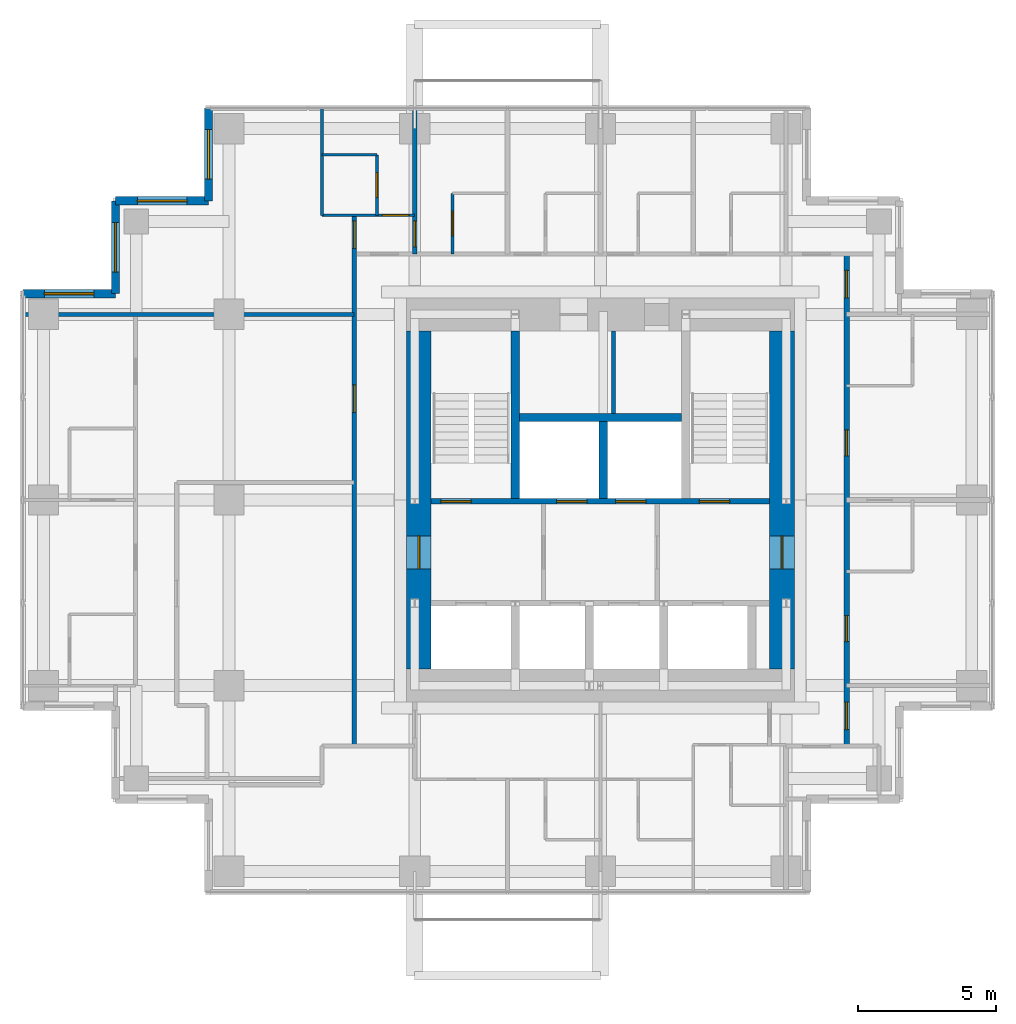
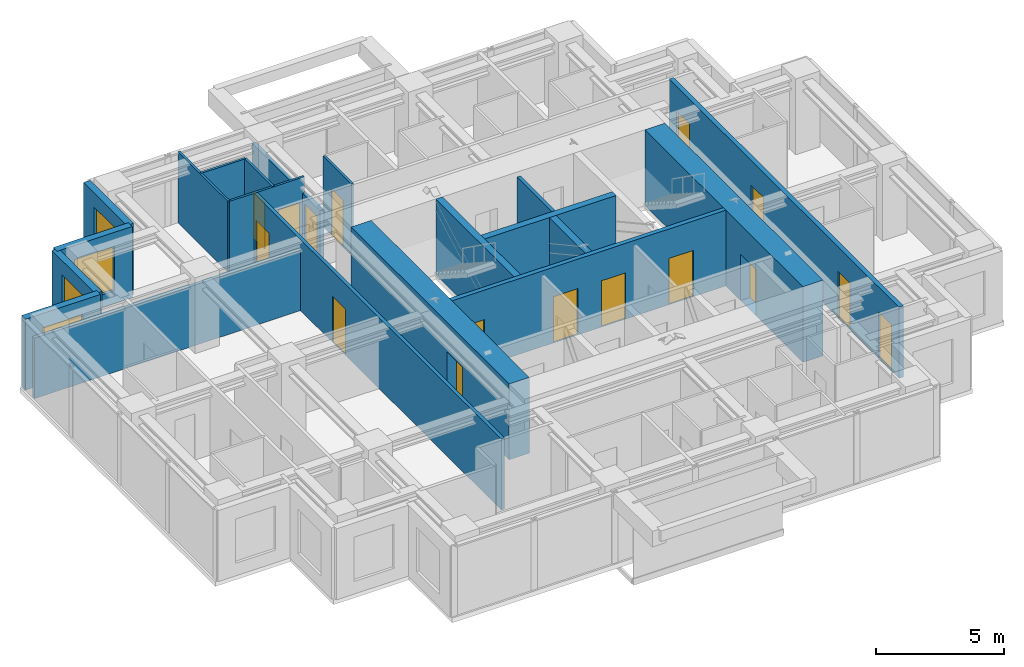
# One storey, part 5 of 8: 20 walls, 16 doors, 4 windows, 20 openings.
"""IFC4 building model written with IfcOpenShell, lengths in metres."""

import ifcopenshell
import ifcopenshell.guid

model = None  # the IFC model being written
_history = None  # IfcOwnerHistory: only IFC2X3 demands one
_inside = {}  # id of a spatial element -> (the spatial element, [elements in it])
_under = {}  # id of a project, library or spatial element -> (it, [spatial elements below it])
_declared = {}  # id of a project -> (the project, [libraries it declares])
_typed = {}  # id of a type object -> (the type object, [elements of that type])
_made_of = {}  # id of a material, layer set ... -> (it, [elements and type objects made of it])


def new_model(schema):
    """Start an empty IFC model of exactly this schema.

    Asked for "IFC4X3", IfcOpenShell would pick the latest addendum, in which some entities
    have other attributes; the version numbers below select the first issue.
    IFC2X3 requires an IfcOwnerHistory on every rooted entity: one is made here for all.
    """
    global model, _history
    if schema == "IFC4X3":
        model = ifcopenshell.file(schema_version=(4, 3, 0, 0))
    else:
        model = ifcopenshell.file(schema=schema)
    _inside.clear()
    _under.clear()
    _declared.clear()
    _typed.clear()
    _made_of.clear()
    _history = None
    if model.schema == "IFC2X3":
        org = make("IfcOrganization", Name="unknown")
        user = make(
            "IfcPersonAndOrganization",
            ThePerson=make("IfcPerson", FamilyName="unknown"),
            TheOrganization=org,
        )
        app = make(
            "IfcApplication",
            ApplicationDeveloper=org,
            Version="unknown",
            ApplicationFullName="unknown",
            ApplicationIdentifier="unknown",
        )
        _history = make(
            "IfcOwnerHistory",
            OwningUser=user,
            OwningApplication=app,
            ChangeAction="ADDED",
            CreationDate=0,
        )
    return model


def make(cls, **values):
    """One entity of the class cls with the attributes given. An attribute that is None is left unset."""
    return model.create_entity(
        cls, **{name: value for name, value in values.items() if value is not None}
    )


def rooted(cls, **values):
    """An entity with a GlobalId (a new one), such as an element, a storey or a relation."""
    return make(cls, GlobalId=ifcopenshell.guid.new(), OwnerHistory=_history, **values)


def si_unit(unit_type, name, prefix=None):
    """IfcSIUnit, for example si_unit("LENGTHUNIT", "METRE", prefix="MILLI")."""
    return make("IfcSIUnit", UnitType=unit_type, Prefix=prefix, Name=name)


def assignment(units):
    """IfcUnitAssignment: the units of a project."""
    return None if units is None else make("IfcUnitAssignment", Units=units)


def point(xyz):
    """IfcCartesianPoint."""
    return None if xyz is None else make("IfcCartesianPoint", Coordinates=xyz)


def direction(xyz):
    """IfcDirection."""
    return None if xyz is None else make("IfcDirection", DirectionRatios=xyz)


def frame(location, z_axis=None, x_axis=None):
    """IfcAxis2Placement3D, a coordinate frame: its origin and axes. An axis left out is left unset."""
    return make(
        "IfcAxis2Placement3D",
        Location=point(location),
        Axis=direction(z_axis),
        RefDirection=direction(x_axis),
    )


def frame_2d(location, x_axis=None):
    """IfcAxis2Placement2D, a coordinate frame in the plane: its origin and x axis."""
    return make(
        "IfcAxis2Placement2D", Location=point(location), RefDirection=direction(x_axis)
    )


def origin():
    """The frame at (0, 0, 0) with its axes left unset."""
    return frame((0.0, 0.0, 0.0))


def place(relative_to, where):
    """IfcLocalPlacement: puts the frame where relative to a parent placement (None: the world)."""
    return make(
        "IfcLocalPlacement", PlacementRelTo=relative_to, RelativePlacement=where
    )


def context(
    kind, dimensions, precision=None, world=None, true_north=None, identifier=None
):
    """IfcGeometricRepresentationContext, for example the 3D "Model" context."""
    return make(
        "IfcGeometricRepresentationContext",
        ContextIdentifier=identifier,
        ContextType=kind,
        CoordinateSpaceDimension=dimensions,
        Precision=precision,
        WorldCoordinateSystem=world,
        TrueNorth=true_north,
    )


def subcontext(parent, identifier, kind, view, scale=None):
    """IfcGeometricRepresentationSubContext, for example "Body" below "Model"."""
    return make(
        "IfcGeometricRepresentationSubContext",
        ContextIdentifier=identifier,
        ContextType=kind,
        ParentContext=parent,
        TargetScale=scale,
        TargetView=view,
    )


def project(units=None, contexts=None):
    """IfcProject with its units and contexts."""
    return rooted(
        "IfcProject",
        Name="project",
        RepresentationContexts=contexts,
        UnitsInContext=assignment(units),
    )


def spatial(cls, under=None, at=None, **own):
    """A site, building, storey or space (cls), placed at a placement, below another one or the project."""
    s = rooted(cls, ObjectPlacement=at, **own)
    if under is not None:
        _under.setdefault(under.id(), (under, []))[1].append(s)
    return s


def profile(cls, at=None, kind="AREA", **sizes):
    """A parametric profile (cls). Its sizes go by their IFC names, for example OverallWidth=200.0."""
    return make(cls, ProfileType=kind, Position=at, **sizes)


def rectangle(**sizes):
    """IfcRectangleProfileDef."""
    return profile("IfcRectangleProfileDef", **sizes)


def extrude(swept, where, along, depth):
    """IfcExtrudedAreaSolid: the profile swept, set in the frame where, extruded along a direction by depth."""
    return make(
        "IfcExtrudedAreaSolid",
        SweptArea=swept,
        Position=where,
        ExtrudedDirection=direction(along),
        Depth=depth,
    )


def shape(context_of_items, identifier, shape_type, items):
    """IfcShapeRepresentation: the items that make up one representation, for example the "Body"."""
    return make(
        "IfcShapeRepresentation",
        ContextOfItems=context_of_items,
        RepresentationIdentifier=identifier,
        RepresentationType=shape_type,
        Items=items,
    )


def material(Name=None, Category=None):
    """IfcMaterial."""
    return make("IfcMaterial", Name=Name, Category=Category)


def layer(
    of_material, thickness, ventilated=None, Name=None, Category=None, Priority=None
):
    """IfcMaterialLayer: one layer of a wall or slab, of a material (None: an air gap)."""
    return make(
        "IfcMaterialLayer",
        Material=of_material,
        LayerThickness=thickness,
        IsVentilated=ventilated,
        Name=Name,
        Category=Category,
        Priority=Priority,
    )


def layer_set(layers, Name=None):
    """IfcMaterialLayerSet."""
    return make("IfcMaterialLayerSet", MaterialLayers=layers, LayerSetName=Name)


def made_of(thing, what):
    """Note that an element or type object is made of a material, layer set ...; save() writes the relation."""
    if what is not None:
        _made_of.setdefault(what.id(), (what, []))[1].append(thing)
    return thing


def type_object(cls, material=None, **own):
    """A type object (cls), such as IfcWallType, which elements share."""
    return made_of(rooted(cls, **own), material)


def element(
    cls,
    number,
    at=None,
    inside=None,
    cuts=None,
    type_object=None,
    material=None,
    context=None,
    identifier="Body",
    shape_type=None,
    held_by="IfcProductDefinitionShape",
    body=None,
    shapes=None,
    **own,
):
    """One element of the class cls, such as IfcWall. Its Tag is "e" and its number.

    at: its placement. inside: the storey or other place that contains it. cuts: it is an
    opening in that element (IfcRelVoidsElement). A single representation is given by context,
    identifier, shape_type and body (its items); several are given by shapes. held_by: the class
    of the entity that holds the representations. save() writes the other relations.
    """
    e = rooted(cls, Tag="e%d" % number, ObjectPlacement=at, **own)
    if body is not None:
        shapes = [shape(context, identifier, shape_type, body)]
    if shapes is not None:
        e.Representation = make(held_by, Representations=shapes)
    if inside is not None:
        _inside.setdefault(inside.id(), (inside, []))[1].append(e)
    if cuts is not None:
        rooted(
            "IfcRelVoidsElement", RelatingBuildingElement=cuts, RelatedOpeningElement=e
        )
    if type_object is not None:
        _typed.setdefault(type_object.id(), (type_object, []))[1].append(e)
    return made_of(e, material)


def fill(opening, filler):
    """IfcRelFillsElement: the door or window that sits in an opening."""
    return rooted(
        "IfcRelFillsElement",
        RelatingOpeningElement=opening,
        RelatedBuildingElement=filler,
    )


def aggregate(whole, parts):
    """IfcRelAggregates: a whole, such as a stair, and the parts it consists of."""
    return rooted("IfcRelAggregates", RelatingObject=whole, RelatedObjects=parts)


def save(model, path):
    """Write the relations noted so far, then the file.

    IfcRelAggregates (storeys below a building ...), IfcRelContainedInSpatialStructure (elements
    in a storey), IfcRelDefinesByType, IfcRelAssociatesMaterial and IfcRelDeclares: one each for
    every whole, place, type object, material and project.
    """
    for whole, parts in _under.values():
        aggregate(whole, parts)
    for where, things in _inside.values():
        rooted(
            "IfcRelContainedInSpatialStructure",
            RelatedElements=things,
            RelatingStructure=where,
        )
    for kind, things in _typed.values():
        rooted("IfcRelDefinesByType", RelatedObjects=things, RelatingType=kind)
    for what, things in _made_of.values():
        rooted("IfcRelAssociatesMaterial", RelatedObjects=things, RelatingMaterial=what)
    for by, libraries in _declared.values():
        rooted("IfcRelDeclares", RelatingContext=by, RelatedDefinitions=libraries)
    model.write(path)


model = new_model("IFC4")

# Units and contexts
model_context = context("Model", 3, precision=1e-05, world=origin(), true_north=direction((0.0, 1.0)))
body_context = subcontext(model_context, "Body", "Model", "MODEL_VIEW")
ifc_project = project(units=[si_unit("LENGTHUNIT", "METRE"), si_unit("AREAUNIT", "SQUARE_METRE"), si_unit("VOLUMEUNIT", "CUBIC_METRE"), si_unit("PLANEANGLEUNIT", "RADIAN"), si_unit("MASSUNIT", "GRAM", prefix="KILO")], contexts=[model_context])

# Site, building, storey
site_placement = place(None, origin())
site = spatial("IfcSite", under=ifc_project, at=site_placement, CompositionType="ELEMENT")
building_placement = place(site_placement, origin())
building = spatial("IfcBuilding", under=site, at=building_placement, Name="Nyansa Garden Tower", CompositionType="ELEMENT")
storey_placement = place(building_placement, frame((0.0, 0.0, 222.300048828125)))
storey = spatial("IfcBuildingStorey", under=building, at=storey_placement, Name="L60", CompositionType="ELEMENT", Elevation=222.300048828125)

# Wall, opening, door
ifc_material_1 = material(Name="Dense blockwork, plastered both sides, 55 dB", Category="masonry")
ifc_layer_1 = layer(ifc_material_1, 0.175048828125)
ifc_layer_set_1 = layer_set([ifc_layer_1], Name="Acoustic party wall PW175")
wall_type_1 = type_object("IfcWallType", Name="Acoustic party wall PW175", PredefinedType="PARTITIONING", material=ifc_layer_set_1)
wall_1_placement = place(storey_placement, frame((13.5, 29.199951171875, 0.0), z_axis=(0.0, 0.0, 1.0), x_axis=(0.0, 1.0, 0.0)))
wall_1 = element("IfcWall", 1, at=wall_1_placement, inside=storey, type_object=wall_type_1, Name="Party wall", PredefinedType="PARTITIONING", context=body_context, shape_type="SweptSolid", body=[
    extrude(rectangle(XDim=5.283935546875, YDim=0.175048828125, at=frame_2d((2.64208984375, 0.0))), origin(), (0.0, 0.0, 1.0), 2.60986328125),
])
opening_1_placement = place(wall_1_placement, frame((0.25, 0.0, 0.0)))
opening_1 = element("IfcOpeningElement", 2, at=opening_1_placement, cuts=wall_1, Name="Opening D14", PredefinedType="OPENING", context=body_context, shape_type="SweptSolid", body=[
    extrude(rectangle(XDim=0.949951171875, YDim=2.199951171875, at=frame_2d((0.47509765625, 1.10009765625))), frame((0.0, 0.097412109375, 0.0), z_axis=(0.0, -1.0, 0.0), x_axis=(1.0, 0.0, 0.0)), (0.0, 0.0, 1.0), 0.195068359375),
])
ifc_material_2 = material(Name="Timber flush door, 60 minute fire resisting, self-closing", Category="wood")
door_type_1 = type_object("IfcDoorType", Name="Studio entrance door D14 950x2200", OperationType="SINGLE_SWING_LEFT", PredefinedType="DOOR", material=ifc_material_2)
door_1_placement = place(opening_1_placement, origin())
door_1 = element("IfcDoor", 3, at=door_1_placement, inside=storey, type_object=door_type_1, Name="Door L60-035", OperationType="SINGLE_SWING_LEFT", OverallHeight=2.199951171875, OverallWidth=0.949951171875, PredefinedType="DOOR", context=body_context, shape_type="SweptSolid", body=[
    extrude(rectangle(XDim=0.949951171875, YDim=2.199951171875, at=frame_2d((0.47509765625, 1.10009765625))), frame((0.0, 0.02490234375, 0.0), z_axis=(0.0, -1.0, 0.0), x_axis=(1.0, 0.0, 0.0)), (0.0, 0.0, 1.0), 0.050048828125),
])
fill(opening_1, door_1)

# Wall, openings, doors
ifc_material_3 = material(Name="Concrete C70/85", Category="concrete")
ifc_layer_2 = layer(ifc_material_3, 0.199951171875)
ifc_layer_set_2 = layer_set([ifc_layer_2], Name="Core inner wall CI200")
wall_type_2 = type_object("IfcWallType", Name="Core inner wall CI200", PredefinedType="SHEAR", material=ifc_layer_set_2)
wall_2_placement = place(storey_placement, frame((14.10009765625, 20.199951171875, 0.0), z_axis=(0.0, 0.0, 1.0), x_axis=(1.0, 0.0, 0.0)))
wall_2 = element("IfcWall", 4, at=wall_2_placement, inside=storey, type_object=wall_type_2, Name="Core inner wall L60", PredefinedType="SHEAR", context=body_context, shape_type="SweptSolid", body=[
    extrude(rectangle(XDim=12.2998046875, YDim=0.199951171875, at=frame_2d((6.14990234375, 0.0))), origin(), (0.0, 0.0, 1.0), 3.599853515625),
])
opening_2_placement = place(wall_2_placement, frame((4.56005859375, 0.0, 0.0)))
opening_2 = element("IfcOpeningElement", 5, at=opening_2_placement, cuts=wall_2, Name="Opening LD-B", PredefinedType="OPENING", context=body_context, shape_type="SweptSolid", body=[
    extrude(rectangle(XDim=1.10009765625, YDim=2.199951171875, at=frame_2d((0.550048828125, 1.10009765625))), frame((0.0, 0.10986328125, 0.0), z_axis=(0.0, -1.0, 0.0), x_axis=(1.0, 0.0, 0.0)), (0.0, 0.0, 1.0), 0.219970703125),
])
opening_3_placement = place(wall_2_placement, frame((6.699951171875, 0.0, 0.0)))
opening_3 = element("IfcOpeningElement", 6, at=opening_3_placement, cuts=wall_2, Name="Opening LD-B", PredefinedType="OPENING", context=body_context, shape_type="SweptSolid", body=[
    extrude(rectangle(XDim=1.10009765625, YDim=2.199951171875, at=frame_2d((0.550048828125, 1.10009765625))), frame((0.0, 0.10986328125, 0.0), z_axis=(0.0, -1.0, 0.0), x_axis=(1.0, 0.0, 0.0)), (0.0, 0.0, 1.0), 0.219970703125),
])
opening_4_placement = place(wall_2_placement, frame((0.35009765625, 0.0, 0.0)))
opening_4 = element("IfcOpeningElement", 7, at=opening_4_placement, cuts=wall_2, Name="Opening D05", PredefinedType="OPENING", context=body_context, shape_type="SweptSolid", body=[
    extrude(rectangle(XDim=1.10009765625, YDim=2.199951171875, at=frame_2d((0.550048828125, 1.10009765625))), frame((0.0, 0.10986328125, 0.0), z_axis=(0.0, -1.0, 0.0), x_axis=(1.0, 0.0, 0.0)), (0.0, 0.0, 1.0), 0.219970703125),
])
opening_5_placement = place(wall_2_placement, frame((9.75, 0.0, 0.0)))
opening_5 = element("IfcOpeningElement", 8, at=opening_5_placement, cuts=wall_2, Name="Opening D05", PredefinedType="OPENING", context=body_context, shape_type="SweptSolid", body=[
    extrude(rectangle(XDim=1.10009765625, YDim=2.199951171875, at=frame_2d((0.550048828125, 1.10009765625))), frame((0.0, 0.10986328125, 0.0), z_axis=(0.0, -1.0, 0.0), x_axis=(1.0, 0.0, 0.0)), (0.0, 0.0, 1.0), 0.219970703125),
])
ifc_material_4 = material(Name="Stainless steel centre-opening landing door of the high-rise lift, E 120", Category="steel")
door_type_2 = type_object("IfcDoorType", Name="Lift landing door LD-B 1100x2200", OperationType="DOUBLE_DOOR_SLIDING", PredefinedType="DOOR", material=ifc_material_4)
door_2_placement = place(opening_2_placement, origin())
door_2 = element("IfcDoor", 9, at=door_2_placement, inside=storey, type_object=door_type_2, Name="Landing door B3", OperationType="DOUBLE_DOOR_SLIDING", OverallHeight=2.199951171875, OverallWidth=1.10009765625, PredefinedType="DOOR", context=body_context, shape_type="SweptSolid", body=[
    extrude(rectangle(XDim=1.10009765625, YDim=2.199951171875, at=frame_2d((0.550048828125, 1.10009765625))), frame((0.0, 0.02490234375, 0.0), z_axis=(0.0, -1.0, 0.0), x_axis=(1.0, 0.0, 0.0)), (0.0, 0.0, 1.0), 0.050048828125),
])
fill(opening_2, door_2)
door_3_placement = place(opening_3_placement, origin())
door_3 = element("IfcDoor", 10, at=door_3_placement, inside=storey, type_object=door_type_2, Name="Landing door B4", OperationType="DOUBLE_DOOR_SLIDING", OverallHeight=2.199951171875, OverallWidth=1.10009765625, PredefinedType="DOOR", context=body_context, shape_type="SweptSolid", body=[
    extrude(rectangle(XDim=1.10009765625, YDim=2.199951171875, at=frame_2d((0.550048828125, 1.10009765625))), frame((0.0, 0.02490234375, 0.0), z_axis=(0.0, -1.0, 0.0), x_axis=(1.0, 0.0, 0.0)), (0.0, 0.0, 1.0), 0.050048828125),
])
fill(opening_3, door_3)
ifc_material_5 = material(Name="Steel door, 120 minute fire resisting", Category="steel")
door_type_3 = type_object("IfcDoorType", Name="Stair door D05 1100x2200", OperationType="SINGLE_SWING_LEFT", PredefinedType="DOOR", material=ifc_material_5)
door_4_placement = place(opening_4_placement, origin())
door_4 = element("IfcDoor", 11, at=door_4_placement, inside=storey, type_object=door_type_3, Name="Stair S1 door", OperationType="SINGLE_SWING_LEFT", OverallHeight=2.199951171875, OverallWidth=1.10009765625, PredefinedType="DOOR", context=body_context, shape_type="SweptSolid", body=[
    extrude(rectangle(XDim=1.10009765625, YDim=2.199951171875, at=frame_2d((0.550048828125, 1.10009765625))), frame((0.0, 0.02490234375, 0.0), z_axis=(0.0, -1.0, 0.0), x_axis=(1.0, 0.0, 0.0)), (0.0, 0.0, 1.0), 0.050048828125),
])
fill(opening_4, door_4)
door_5_placement = place(opening_5_placement, origin())
door_5 = element("IfcDoor", 12, at=door_5_placement, inside=storey, type_object=door_type_3, Name="Stair S2 door", OperationType="SINGLE_SWING_LEFT", OverallHeight=2.199951171875, OverallWidth=1.10009765625, PredefinedType="DOOR", context=body_context, shape_type="SweptSolid", body=[
    extrude(rectangle(XDim=1.10009765625, YDim=2.199951171875, at=frame_2d((0.550048828125, 1.10009765625))), frame((0.0, 0.02490234375, 0.0), z_axis=(0.0, -1.0, 0.0), x_axis=(1.0, 0.0, 0.0)), (0.0, 0.0, 1.0), 0.050048828125),
])
fill(opening_5, door_5)

# Walls
ifc_material_6 = material(Name="Concrete C70/85", Category="concrete")
ifc_layer_3 = layer(ifc_material_6, 0.300048828125)
ifc_layer_set_3 = layer_set([ifc_layer_3], Name="Core inner wall CI300")
wall_type_3 = type_object("IfcWallType", Name="Core inner wall CI300", PredefinedType="SHEAR", material=ifc_layer_set_3)
wall_3_placement = place(storey_placement, frame((17.14990234375, 20.300048828125, 0.0), z_axis=(0.0, 0.0, 1.0), x_axis=(0.0, 1.0, 0.0)))
element("IfcWall", 13, at=wall_3_placement, inside=storey, type_object=wall_type_3, Name="Core inner wall L60", PredefinedType="SHEAR", context=body_context, shape_type="SweptSolid", body=[
    extrude(rectangle(XDim=6.099853515625, YDim=0.300048828125, at=frame_2d((3.0498046875, 0.0))), origin(), (0.0, 0.0, 1.0), 3.599853515625),
])
wall_4_placement = place(storey_placement, frame((20.35009765625, 20.300048828125, 0.0), z_axis=(0.0, 0.0, 1.0), x_axis=(0.0, 1.0, 0.0)))
element("IfcWall", 14, at=wall_4_placement, inside=storey, type_object=wall_type_3, Name="Core inner wall L60", PredefinedType="SHEAR", context=body_context, shape_type="SweptSolid", body=[
    extrude(rectangle(XDim=2.800048828125, YDim=0.300048828125, at=frame_2d((1.39990234375, 0.0))), origin(), (0.0, 0.0, 1.0), 3.599853515625),
])
wall_5_placement = place(storey_placement, frame((17.300048828125, 23.25, 0.0), z_axis=(0.0, 0.0, 1.0), x_axis=(1.0, 0.0, 0.0)))
element("IfcWall", 15, at=wall_5_placement, inside=storey, type_object=wall_type_3, Name="Core inner wall L60", PredefinedType="SHEAR", context=body_context, shape_type="SweptSolid", body=[
    extrude(rectangle(XDim=5.89990234375, YDim=0.300048828125, at=frame_2d((2.949951171875, 0.0))), origin(), (0.0, 0.0, 1.0), 3.599853515625),
])

# Wall, opening, door
ifc_material_7 = material(Name="Concrete C80/95", Category="concrete")
ifc_layer_4 = layer(ifc_material_7, 0.89990234375)
ifc_layer_set_4 = layer_set([ifc_layer_4], Name="Core wall CW900")
wall_type_4 = type_object("IfcWallType", Name="Core wall CW900", PredefinedType="SHEAR", material=ifc_layer_set_4)
wall_6_placement = place(storey_placement, frame((26.85009765625, 14.10009765625, 0.0), z_axis=(0.0, 0.0, 1.0), x_axis=(0.0, 1.0, 0.0)))
wall_6 = element("IfcWall", 16, at=wall_6_placement, inside=storey, type_object=wall_type_4, Name="Core wall E L60", PredefinedType="SHEAR", context=body_context, shape_type="SweptSolid", body=[
    extrude(rectangle(XDim=12.2998046875, YDim=0.89990234375, at=frame_2d((6.14990234375, 0.0))), origin(), (0.0, 0.0, 1.0), 3.599853515625),
])
opening_6_placement = place(wall_6_placement, frame((3.64990234375, 0.0, 0.0)))
opening_6 = element("IfcOpeningElement", 17, at=opening_6_placement, cuts=wall_6, Name="Opening D06", PredefinedType="OPENING", context=body_context, shape_type="SweptSolid", body=[
    extrude(rectangle(XDim=1.199951171875, YDim=2.199951171875, at=frame_2d((0.60009765625, 1.10009765625))), frame((0.0, 0.4599609375, 0.0), z_axis=(0.0, -1.0, 0.0), x_axis=(1.0, 0.0, 0.0)), (0.0, 0.0, 1.0), 0.919921875),
])
ifc_material_8 = material(Name="Steel door, 120 minute fire resisting", Category="steel")
door_type_4 = type_object("IfcDoorType", Name="Lobby door D06 1200x2200", OperationType="DOUBLE_DOOR_SINGLE_SWING", PredefinedType="DOOR", material=ifc_material_8)
door_6_placement = place(opening_6_placement, origin())
door_6 = element("IfcDoor", 18, at=door_6_placement, inside=storey, type_object=door_type_4, Name="Lift lobby door east", OperationType="DOUBLE_DOOR_SINGLE_SWING", OverallHeight=2.199951171875, OverallWidth=1.199951171875, PredefinedType="DOOR", context=body_context, shape_type="SweptSolid", body=[
    extrude(rectangle(XDim=1.199951171875, YDim=2.199951171875, at=frame_2d((0.60009765625, 1.10009765625))), frame((0.0, 0.02490234375, 0.0), z_axis=(0.0, -1.0, 0.0), x_axis=(1.0, 0.0, 0.0)), (0.0, 0.0, 1.0), 0.050048828125),
])
fill(opening_6, door_6)

wall_7_placement = place(storey_placement, frame((13.64990234375, 26.39990234375, 0.0), z_axis=(0.0, 0.0, 1.0), x_axis=(0.0, -1.0, 0.0)))
wall_7 = element("IfcWall", 19, at=wall_7_placement, inside=storey, type_object=wall_type_4, Name="Core wall W L60", PredefinedType="SHEAR", context=body_context, shape_type="SweptSolid", body=[
    extrude(rectangle(XDim=12.2998046875, YDim=0.89990234375, at=frame_2d((6.14990234375, 0.0))), origin(), (0.0, 0.0, 1.0), 3.599853515625),
])
opening_7_placement = place(wall_7_placement, frame((7.449951171875, 0.0, 0.0)))
opening_7 = element("IfcOpeningElement", 20, at=opening_7_placement, cuts=wall_7, Name="Opening D06", PredefinedType="OPENING", context=body_context, shape_type="SweptSolid", body=[
    extrude(rectangle(XDim=1.199951171875, YDim=2.199951171875, at=frame_2d((0.60009765625, 1.10009765625))), frame((0.0, 0.4599609375, 0.0), z_axis=(0.0, -1.0, 0.0), x_axis=(1.0, 0.0, 0.0)), (0.0, 0.0, 1.0), 0.919921875),
])
door_7_placement = place(opening_7_placement, origin())
door_7 = element("IfcDoor", 21, at=door_7_placement, inside=storey, type_object=door_type_4, Name="Lift lobby door west", OperationType="DOUBLE_DOOR_SINGLE_SWING", OverallHeight=2.199951171875, OverallWidth=1.199951171875, PredefinedType="DOOR", context=body_context, shape_type="SweptSolid", body=[
    extrude(rectangle(XDim=1.199951171875, YDim=2.199951171875, at=frame_2d((0.60009765625, 1.10009765625))), frame((0.0, 0.02490234375, 0.0), z_axis=(0.0, -1.0, 0.0), x_axis=(1.0, 0.0, 0.0)), (0.0, 0.0, 1.0), 0.050048828125),
])
fill(opening_7, door_7)

# Wall, openings, doors
ifc_material_9 = material(Name="Concrete blockwork, plastered, 60 minute fire resisting", Category="masonry")
ifc_layer_5 = layer(ifc_material_9, 0.199951171875)
ifc_layer_set_5 = layer_set([ifc_layer_5], Name="Corridor wall FW200")
wall_type_5 = type_object("IfcWallType", Name="Corridor wall FW200", PredefinedType="PARTITIONING", material=ifc_layer_set_5)
wall_8_placement = place(storey_placement, frame((29.199951171875, 11.300048828125, 0.0), z_axis=(0.0, 0.0, 1.0), x_axis=(0.0, 1.0, 0.0)))
wall_8 = element("IfcWall", 22, at=wall_8_placement, inside=storey, type_object=wall_type_5, Name="Corridor wall", PredefinedType="PARTITIONING", context=body_context, shape_type="SweptSolid", body=[
    extrude(rectangle(XDim=17.89990234375, YDim=0.199951171875, at=frame_2d((8.949951171875, 0.0))), origin(), (0.0, 0.0, 1.0), 3.375),
])
opening_8_placement = place(wall_8_placement, frame((0.60009765625, 0.0, 0.0)))
opening_8 = element("IfcOpeningElement", 23, at=opening_8_placement, cuts=wall_8, Name="Opening D03", PredefinedType="OPENING", context=body_context, shape_type="SweptSolid", body=[
    extrude(rectangle(XDim=1.0, YDim=2.199951171875, at=frame_2d((0.5, 1.10009765625))), frame((0.0, 0.10986328125, 0.0), z_axis=(0.0, -1.0, 0.0), x_axis=(1.0, 0.0, 0.0)), (0.0, 0.0, 1.0), 0.219970703125),
])
opening_9_placement = place(wall_8_placement, frame((10.550048828125, 0.0, 0.0)))
opening_9 = element("IfcOpeningElement", 24, at=opening_9_placement, cuts=wall_8, Name="Opening D14", PredefinedType="OPENING", context=body_context, shape_type="SweptSolid", body=[
    extrude(rectangle(XDim=0.949951171875, YDim=2.199951171875, at=frame_2d((0.47509765625, 1.10009765625))), frame((0.0, 0.10986328125, 0.0), z_axis=(0.0, -1.0, 0.0), x_axis=(1.0, 0.0, 0.0)), (0.0, 0.0, 1.0), 0.219970703125),
])
opening_10_placement = place(wall_8_placement, frame((3.800048828125, 0.0, 0.0)))
opening_10 = element("IfcOpeningElement", 25, at=opening_10_placement, cuts=wall_8, Name="Opening D14", PredefinedType="OPENING", context=body_context, shape_type="SweptSolid", body=[
    extrude(rectangle(XDim=0.949951171875, YDim=2.199951171875, at=frame_2d((0.47509765625, 1.10009765625))), frame((0.0, 0.10986328125, 0.0), z_axis=(0.0, -1.0, 0.0), x_axis=(1.0, 0.0, 0.0)), (0.0, 0.0, 1.0), 0.219970703125),
])
opening_11_placement = place(wall_8_placement, frame((16.300048828125, 0.0, 0.0)))
opening_11 = element("IfcOpeningElement", 26, at=opening_11_placement, cuts=wall_8, Name="Opening D03", PredefinedType="OPENING", context=body_context, shape_type="SweptSolid", body=[
    extrude(rectangle(XDim=1.0, YDim=2.199951171875, at=frame_2d((0.5, 1.10009765625))), frame((0.0, 0.10986328125, 0.0), z_axis=(0.0, -1.0, 0.0), x_axis=(1.0, 0.0, 0.0)), (0.0, 0.0, 1.0), 0.219970703125),
])
ifc_material_10 = material(Name="Timber flush door, 60 minute fire resisting", Category="wood")
door_type_5 = type_object("IfcDoorType", Name="Cluster entrance door D03 1000x2200", OperationType="SINGLE_SWING_LEFT", PredefinedType="DOOR", material=ifc_material_10)
door_8_placement = place(opening_8_placement, origin())
door_8 = element("IfcDoor", 27, at=door_8_placement, inside=storey, type_object=door_type_5, Name="Door L60-026", OperationType="SINGLE_SWING_LEFT", OverallHeight=2.199951171875, OverallWidth=1.0, PredefinedType="DOOR", context=body_context, shape_type="SweptSolid", body=[
    extrude(rectangle(XDim=1.0, YDim=2.199951171875, at=frame_2d((0.5, 1.10009765625))), frame((0.0, 0.02490234375, 0.0), z_axis=(0.0, -1.0, 0.0), x_axis=(1.0, 0.0, 0.0)), (0.0, 0.0, 1.0), 0.050048828125),
])
fill(opening_8, door_8)
door_9_placement = place(opening_11_placement, origin())
door_9 = element("IfcDoor", 28, at=door_9_placement, inside=storey, type_object=door_type_5, Name="Door L60-031", OperationType="SINGLE_SWING_LEFT", OverallHeight=2.199951171875, OverallWidth=1.0, PredefinedType="DOOR", context=body_context, shape_type="SweptSolid", body=[
    extrude(rectangle(XDim=1.0, YDim=2.199951171875, at=frame_2d((0.5, 1.10009765625))), frame((0.0, 0.02490234375, 0.0), z_axis=(0.0, -1.0, 0.0), x_axis=(1.0, 0.0, 0.0)), (0.0, 0.0, 1.0), 0.050048828125),
])
fill(opening_11, door_9)
door_10_placement = place(opening_9_placement, origin())
door_10 = element("IfcDoor", 29, at=door_10_placement, inside=storey, type_object=door_type_1, Name="Door L60-027", OperationType="SINGLE_SWING_LEFT", OverallHeight=2.199951171875, OverallWidth=0.949951171875, PredefinedType="DOOR", context=body_context, shape_type="SweptSolid", body=[
    extrude(rectangle(XDim=0.949951171875, YDim=2.199951171875, at=frame_2d((0.47509765625, 1.10009765625))), frame((0.0, 0.02490234375, 0.0), z_axis=(0.0, -1.0, 0.0), x_axis=(1.0, 0.0, 0.0)), (0.0, 0.0, 1.0), 0.050048828125),
])
fill(opening_9, door_10)
door_11_placement = place(opening_10_placement, origin())
door_11 = element("IfcDoor", 30, at=door_11_placement, inside=storey, type_object=door_type_1, Name="Door L60-029", OperationType="SINGLE_SWING_LEFT", OverallHeight=2.199951171875, OverallWidth=0.949951171875, PredefinedType="DOOR", context=body_context, shape_type="SweptSolid", body=[
    extrude(rectangle(XDim=0.949951171875, YDim=2.199951171875, at=frame_2d((0.47509765625, 1.10009765625))), frame((0.0, 0.02490234375, 0.0), z_axis=(0.0, -1.0, 0.0), x_axis=(1.0, 0.0, 0.0)), (0.0, 0.0, 1.0), 0.050048828125),
])
fill(opening_10, door_11)

# Walls
ifc_material_11 = material(Name="Blockwork, plastered both sides", Category="masonry")
ifc_layer_6 = layer(ifc_material_11, 0.14990234375)
ifc_layer_set_6 = layer_set([ifc_layer_6], Name="Partition PW150")
wall_type_6 = type_object("IfcWallType", Name="Partition PW150", PredefinedType="PARTITIONING", material=ifc_layer_set_6)
wall_9_placement = place(storey_placement, frame((20.72509765625, 23.39990234375, 0.0), z_axis=(0.0, 0.0, 1.0), x_axis=(0.0, 1.0, 0.0)))
element("IfcWall", 31, at=wall_9_placement, inside=storey, type_object=wall_type_6, Name="Partition", PredefinedType="PARTITIONING", context=body_context, shape_type="SweptSolid", body=[
    extrude(rectangle(XDim=3.0, YDim=0.14990234375, at=frame_2d((1.5, 0.0))), origin(), (0.0, 0.0, 1.0), 3.375),
])
wall_10_placement = place(storey_placement, frame((-0.73388671875, 27.0, 0.0), z_axis=(0.0, 0.0, 1.0), x_axis=(1.0, 0.0, 0.0)))
element("IfcWall", 32, at=wall_10_placement, inside=storey, type_object=wall_type_6, Name="Partition", PredefinedType="PARTITIONING", context=body_context, shape_type="SweptSolid", body=[
    extrude(rectangle(XDim=12.033935546875, YDim=0.14990234375, at=frame_2d((6.01708984375, 0.0))), origin(), (0.0, 0.0, 1.0), 2.876953125),
])

# Wall, openings, doors
wall_11_placement = place(storey_placement, frame((11.300048828125, 11.300048828125, 0.0), z_axis=(0.0, 0.0, 1.0), x_axis=(0.0, 1.0, 0.0)))
wall_11 = element("IfcWall", 33, at=wall_11_placement, inside=storey, type_object=wall_type_6, Name="Partition", PredefinedType="PARTITIONING", context=body_context, shape_type="SweptSolid", body=[
    extrude(rectangle(XDim=19.300048828125, YDim=0.14990234375, at=frame_2d((9.64990234375, 0.0))), origin(), (0.0, 0.0, 1.0), 3.375),
])
opening_12_placement = place(wall_11_placement, frame((18.10009765625, 0.0, 0.0)))
opening_12 = element("IfcOpeningElement", 34, at=opening_12_placement, cuts=wall_11, Name="Opening D03", PredefinedType="OPENING", context=body_context, shape_type="SweptSolid", body=[
    extrude(rectangle(XDim=1.0, YDim=2.199951171875, at=frame_2d((0.5, 1.10009765625))), frame((0.0, 0.0849609375, 0.0), z_axis=(0.0, -1.0, 0.0), x_axis=(1.0, 0.0, 0.0)), (0.0, 0.0, 1.0), 0.169921875),
])
opening_13_placement = place(wall_11_placement, frame((12.137451171875, 0.0, 0.0)))
opening_13 = element("IfcOpeningElement", 35, at=opening_13_placement, cuts=wall_11, Name="Opening D03", PredefinedType="OPENING", context=body_context, shape_type="SweptSolid", body=[
    extrude(rectangle(XDim=1.0, YDim=2.199951171875, at=frame_2d((0.5, 1.10009765625))), frame((0.0, 0.0849609375, 0.0), z_axis=(0.0, -1.0, 0.0), x_axis=(1.0, 0.0, 0.0)), (0.0, 0.0, 1.0), 0.169921875),
])
door_12_placement = place(opening_12_placement, origin())
door_12 = element("IfcDoor", 36, at=door_12_placement, inside=storey, type_object=door_type_5, Name="Door L60-044", OperationType="SINGLE_SWING_LEFT", OverallHeight=2.199951171875, OverallWidth=1.0, PredefinedType="DOOR", context=body_context, shape_type="SweptSolid", body=[
    extrude(rectangle(XDim=1.0, YDim=2.199951171875, at=frame_2d((0.5, 1.10009765625))), frame((0.0, 0.02490234375, 0.0), z_axis=(0.0, -1.0, 0.0), x_axis=(1.0, 0.0, 0.0)), (0.0, 0.0, 1.0), 0.050048828125),
])
fill(opening_12, door_12)
door_13_placement = place(opening_13_placement, origin())
door_13 = element("IfcDoor", 37, at=door_13_placement, inside=storey, type_object=door_type_5, Name="Door L60-049", OperationType="SINGLE_SWING_LEFT", OverallHeight=2.199951171875, OverallWidth=1.0, PredefinedType="DOOR", context=body_context, shape_type="SweptSolid", body=[
    extrude(rectangle(XDim=1.0, YDim=2.199951171875, at=frame_2d((0.5, 1.10009765625))), frame((0.0, 0.02490234375, 0.0), z_axis=(0.0, -1.0, 0.0), x_axis=(1.0, 0.0, 0.0)), (0.0, 0.0, 1.0), 0.050048828125),
])
fill(opening_13, door_13)

# Wall, opening, window
ifc_material_12 = material(Name="Turquoise glazed tile on concrete blockwork", Category="masonry")
ifc_layer_7 = layer(ifc_material_12, 0.300048828125)
ifc_layer_set_7 = layer_set([ifc_layer_7], Name="Tiled corner wall TW300")
wall_type_7 = type_object("IfcWallType", Name="Tiled corner wall TW300", PredefinedType="SOLIDWALL", material=ifc_layer_set_7)
wall_12_placement = place(storey_placement, frame((6.0, 34.5, 0.0), z_axis=(0.0, 0.0, 1.0), x_axis=(0.0, -1.0, 0.0)))
wall_12 = element("IfcWall", 38, at=wall_12_placement, inside=storey, type_object=wall_type_7, Name="Tiled corner wall L60", PredefinedType="SOLIDWALL", context=body_context, shape_type="SweptSolid", body=[
    extrude(rectangle(XDim=3.375, YDim=0.300048828125, at=frame_2d((1.6875, 0.0))), origin(), (0.0, 0.0, 1.0), 3.375),
])
opening_14_placement = place(wall_12_placement, frame((0.78759765625, 0.0, 0.60009765625)))
opening_14 = element("IfcOpeningElement", 39, at=opening_14_placement, cuts=wall_12, Name="Opening W2", PredefinedType="OPENING", context=body_context, shape_type="SweptSolid", body=[
    extrude(rectangle(XDim=1.800048828125, YDim=2.10009765625, at=frame_2d((0.89990234375, 1.050048828125))), frame((0.0, 0.159912109375, 0.0), z_axis=(0.0, -1.0, 0.0), x_axis=(1.0, 0.0, 0.0)), (0.0, 0.0, 1.0), 0.320068359375),
])
ifc_material_13 = material(Name="Black aluminium frame, dark tinted double glazing", Category="aluminium")
window_type = type_object("IfcWindowType", Name="Window W2 1800x2100", PartitioningType="SINGLE_PANEL", PredefinedType="WINDOW", material=ifc_material_13)
window_1_placement = place(opening_14_placement, origin())
window_1 = element("IfcWindow", 40, at=window_1_placement, inside=storey, type_object=window_type, Name="Corner window L60", OverallHeight=2.10009765625, OverallWidth=1.800048828125, PartitioningType="SINGLE_PANEL", PredefinedType="WINDOW", context=body_context, shape_type="SweptSolid", body=[
    extrude(rectangle(XDim=1.800048828125, YDim=2.10009765625, at=frame_2d((0.89990234375, 1.050048828125))), frame((0.0, 0.030029296875, 0.0), z_axis=(0.0, -1.0, 0.0), x_axis=(1.0, 0.0, 0.0)), (0.0, 0.0, 1.0), 0.06005859375),
])
fill(opening_14, window_1)

wall_13_placement = place(storey_placement, frame((6.0, 31.125, 0.0), z_axis=(0.0, 0.0, 1.0), x_axis=(-1.0, 0.0, 0.0)))
wall_13 = element("IfcWall", 41, at=wall_13_placement, inside=storey, type_object=wall_type_7, Name="Tiled corner wall L60", PredefinedType="SOLIDWALL", context=body_context, shape_type="SweptSolid", body=[
    extrude(rectangle(XDim=3.375, YDim=0.300048828125, at=frame_2d((1.6875, 0.0))), origin(), (0.0, 0.0, 1.0), 3.375),
])
opening_15_placement = place(wall_13_placement, frame((0.78759765625, 0.0, 0.60009765625)))
opening_15 = element("IfcOpeningElement", 42, at=opening_15_placement, cuts=wall_13, Name="Opening W2", PredefinedType="OPENING", context=body_context, shape_type="SweptSolid", body=[
    extrude(rectangle(XDim=1.800048828125, YDim=2.10009765625, at=frame_2d((0.89990234375, 1.050048828125))), frame((0.0, 0.159912109375, 0.0), z_axis=(0.0, -1.0, 0.0), x_axis=(1.0, 0.0, 0.0)), (0.0, 0.0, 1.0), 0.320068359375),
])
window_2_placement = place(opening_15_placement, origin())
window_2 = element("IfcWindow", 43, at=window_2_placement, inside=storey, type_object=window_type, Name="Corner window L60", OverallHeight=2.10009765625, OverallWidth=1.800048828125, PartitioningType="SINGLE_PANEL", PredefinedType="WINDOW", context=body_context, shape_type="SweptSolid", body=[
    extrude(rectangle(XDim=1.800048828125, YDim=2.10009765625, at=frame_2d((0.89990234375, 1.050048828125))), frame((0.0, 0.030029296875, 0.0), z_axis=(0.0, -1.0, 0.0), x_axis=(1.0, 0.0, 0.0)), (0.0, 0.0, 1.0), 0.06005859375),
])
fill(opening_15, window_2)

wall_14_placement = place(storey_placement, frame((2.625, 31.125, 0.0), z_axis=(0.0, 0.0, 1.0), x_axis=(0.0, -1.0, 0.0)))
wall_14 = element("IfcWall", 44, at=wall_14_placement, inside=storey, type_object=wall_type_7, Name="Tiled corner wall L60", PredefinedType="SOLIDWALL", context=body_context, shape_type="SweptSolid", body=[
    extrude(rectangle(XDim=3.375, YDim=0.300048828125, at=frame_2d((1.6875, 0.0))), origin(), (0.0, 0.0, 1.0), 3.375),
])
opening_16_placement = place(wall_14_placement, frame((0.78759765625, 0.0, 0.60009765625)))
opening_16 = element("IfcOpeningElement", 45, at=opening_16_placement, cuts=wall_14, Name="Opening W2", PredefinedType="OPENING", context=body_context, shape_type="SweptSolid", body=[
    extrude(rectangle(XDim=1.800048828125, YDim=2.10009765625, at=frame_2d((0.89990234375, 1.050048828125))), frame((0.0, 0.159912109375, 0.0), z_axis=(0.0, -1.0, 0.0), x_axis=(1.0, 0.0, 0.0)), (0.0, 0.0, 1.0), 0.320068359375),
])
window_3_placement = place(opening_16_placement, origin())
window_3 = element("IfcWindow", 46, at=window_3_placement, inside=storey, type_object=window_type, Name="Corner window L60", OverallHeight=2.10009765625, OverallWidth=1.800048828125, PartitioningType="SINGLE_PANEL", PredefinedType="WINDOW", context=body_context, shape_type="SweptSolid", body=[
    extrude(rectangle(XDim=1.800048828125, YDim=2.10009765625, at=frame_2d((0.89990234375, 1.050048828125))), frame((0.0, 0.030029296875, 0.0), z_axis=(0.0, -1.0, 0.0), x_axis=(1.0, 0.0, 0.0)), (0.0, 0.0, 1.0), 0.06005859375),
])
fill(opening_16, window_3)

wall_15_placement = place(storey_placement, frame((2.625, 27.75, 0.0), z_axis=(0.0, 0.0, 1.0), x_axis=(-1.0, 0.0, 0.0)))
wall_15 = element("IfcWall", 47, at=wall_15_placement, inside=storey, type_object=wall_type_7, Name="Tiled corner wall L60", PredefinedType="SOLIDWALL", context=body_context, shape_type="SweptSolid", body=[
    extrude(rectangle(XDim=3.375, YDim=0.300048828125, at=frame_2d((1.6875, 0.0))), origin(), (0.0, 0.0, 1.0), 3.375),
])
opening_17_placement = place(wall_15_placement, frame((0.78759765625, 0.0, 0.60009765625)))
opening_17 = element("IfcOpeningElement", 48, at=opening_17_placement, cuts=wall_15, Name="Opening W2", PredefinedType="OPENING", context=body_context, shape_type="SweptSolid", body=[
    extrude(rectangle(XDim=1.800048828125, YDim=2.10009765625, at=frame_2d((0.89990234375, 1.050048828125))), frame((0.0, 0.159912109375, 0.0), z_axis=(0.0, -1.0, 0.0), x_axis=(1.0, 0.0, 0.0)), (0.0, 0.0, 1.0), 0.320068359375),
])
window_4_placement = place(opening_17_placement, origin())
window_4 = element("IfcWindow", 49, at=window_4_placement, inside=storey, type_object=window_type, Name="Corner window L60", OverallHeight=2.10009765625, OverallWidth=1.800048828125, PartitioningType="SINGLE_PANEL", PredefinedType="WINDOW", context=body_context, shape_type="SweptSolid", body=[
    extrude(rectangle(XDim=1.800048828125, YDim=2.10009765625, at=frame_2d((0.89990234375, 1.050048828125))), frame((0.0, 0.030029296875, 0.0), z_axis=(0.0, -1.0, 0.0), x_axis=(1.0, 0.0, 0.0)), (0.0, 0.0, 1.0), 0.06005859375),
])
fill(opening_17, window_4)

# Wall
ifc_material_14 = material(Name="Moisture resistant board on steel studs, tiled", Category="steel")
ifc_layer_8 = layer(ifc_material_14, 0.10009765625)
ifc_layer_set_8 = layer_set([ifc_layer_8], Name="Wet wall PW100")
wall_type_8 = type_object("IfcWallType", Name="Wet wall PW100", PredefinedType="PARTITIONING", material=ifc_layer_set_8)
wall_16_placement = place(storey_placement, frame((10.125, 30.60009765625, 0.0), z_axis=(0.0, 0.0, 1.0), x_axis=(0.0, 1.0, 0.0)))
element("IfcWall", 50, at=wall_16_placement, inside=storey, type_object=wall_type_8, Name="Wet wall", PredefinedType="PARTITIONING", context=body_context, shape_type="SweptSolid", body=[
    extrude(rectangle(XDim=3.8837890625, YDim=0.10009765625, at=frame_2d((1.94189453125, 0.0))), origin(), (0.0, 0.0, 1.0), 3.375),
])

# Wall, opening, door
wall_17_placement = place(storey_placement, frame((10.125, 30.60009765625, 0.0), z_axis=(0.0, 0.0, 1.0), x_axis=(1.0, 0.0, 0.0)))
wall_17 = element("IfcWall", 51, at=wall_17_placement, inside=storey, type_object=wall_type_8, Name="Wet wall", PredefinedType="PARTITIONING", context=body_context, shape_type="SweptSolid", body=[
    extrude(rectangle(XDim=3.375, YDim=0.10009765625, at=frame_2d((1.6875, 0.0))), origin(), (0.0, 0.0, 1.0), 3.375),
])
opening_18_placement = place(wall_17_placement, frame((2.199951171875, 0.0, 0.0)))
opening_18 = element("IfcOpeningElement", 52, at=opening_18_placement, cuts=wall_17, Name="Opening D14", PredefinedType="OPENING", context=body_context, shape_type="SweptSolid", body=[
    extrude(rectangle(XDim=0.949951171875, YDim=2.199951171875, at=frame_2d((0.47509765625, 1.10009765625))), frame((0.0, 0.06005859375, 0.0), z_axis=(0.0, -1.0, 0.0), x_axis=(1.0, 0.0, 0.0)), (0.0, 0.0, 1.0), 0.1201171875),
])
door_14_placement = place(opening_18_placement, origin())
door_14 = element("IfcDoor", 53, at=door_14_placement, inside=storey, type_object=door_type_1, Name="Door L60-033", OperationType="SINGLE_SWING_LEFT", OverallHeight=2.199951171875, OverallWidth=0.949951171875, PredefinedType="DOOR", context=body_context, shape_type="SweptSolid", body=[
    extrude(rectangle(XDim=0.949951171875, YDim=2.199951171875, at=frame_2d((0.47509765625, 1.10009765625))), frame((0.0, 0.02490234375, 0.0), z_axis=(0.0, -1.0, 0.0), x_axis=(1.0, 0.0, 0.0)), (0.0, 0.0, 1.0), 0.050048828125),
])
fill(opening_18, door_14)

# Wall
wall_18_placement = place(storey_placement, frame((10.125, 32.800048828125, 0.0), z_axis=(0.0, 0.0, 1.0), x_axis=(1.0, 0.0, 0.0)))
element("IfcWall", 54, at=wall_18_placement, inside=storey, type_object=wall_type_8, Name="Wet wall", PredefinedType="PARTITIONING", context=body_context, shape_type="SweptSolid", body=[
    extrude(rectangle(XDim=2.0, YDim=0.10009765625, at=frame_2d((1.0, 0.0))), origin(), (0.0, 0.0, 1.0), 3.375),
])

# Wall, opening, door
wall_19_placement = place(storey_placement, frame((12.125, 30.60009765625, 0.0), z_axis=(0.0, 0.0, 1.0), x_axis=(0.0, 1.0, 0.0)))
wall_19 = element("IfcWall", 55, at=wall_19_placement, inside=storey, type_object=wall_type_8, Name="Wet wall", PredefinedType="PARTITIONING", context=body_context, shape_type="SweptSolid", body=[
    extrude(rectangle(XDim=2.199951171875, YDim=0.10009765625, at=frame_2d((1.10009765625, 0.0))), origin(), (0.0, 0.0, 1.0), 3.375),
])
opening_19_placement = place(wall_19_placement, frame((0.64990234375, 0.0, 0.0)))
opening_19 = element("IfcOpeningElement", 56, at=opening_19_placement, cuts=wall_19, Name="Opening D02", PredefinedType="OPENING", context=body_context, shape_type="SweptSolid", body=[
    extrude(rectangle(XDim=0.89990234375, YDim=2.199951171875, at=frame_2d((0.449951171875, 1.10009765625))), frame((0.0, 0.06005859375, 0.0), z_axis=(0.0, -1.0, 0.0), x_axis=(1.0, 0.0, 0.0)), (0.0, 0.0, 1.0), 0.1201171875),
])
ifc_material_15 = material(Name="Timber flush door", Category="wood")
door_type_6 = type_object("IfcDoorType", Name="En-suite door D02 900x2200", OperationType="SINGLE_SWING_RIGHT", PredefinedType="DOOR", material=ifc_material_15)
door_15_placement = place(opening_19_placement, origin())
door_15 = element("IfcDoor", 57, at=door_15_placement, inside=storey, type_object=door_type_6, Name="Door L60-034", OperationType="SINGLE_SWING_RIGHT", OverallHeight=2.199951171875, OverallWidth=0.89990234375, PredefinedType="DOOR", context=body_context, shape_type="SweptSolid", body=[
    extrude(rectangle(XDim=0.89990234375, YDim=2.199951171875, at=frame_2d((0.449951171875, 1.10009765625))), frame((0.0, 0.02490234375, 0.0), z_axis=(0.0, -1.0, 0.0), x_axis=(1.0, 0.0, 0.0)), (0.0, 0.0, 1.0), 0.050048828125),
])
fill(opening_19, door_15)

wall_20_placement = place(storey_placement, frame((14.875, 29.199951171875, 0.0), z_axis=(0.0, 0.0, 1.0), x_axis=(0.0, 1.0, 0.0)))
wall_20 = element("IfcWall", 58, at=wall_20_placement, inside=storey, type_object=wall_type_8, Name="Wet wall", PredefinedType="PARTITIONING", context=body_context, shape_type="SweptSolid", body=[
    extrude(rectangle(XDim=2.199951171875, YDim=0.10009765625, at=frame_2d((1.10009765625, 0.0))), origin(), (0.0, 0.0, 1.0), 3.375),
])
opening_20_placement = place(wall_20_placement, frame((0.64990234375, 0.0, 0.0)))
opening_20 = element("IfcOpeningElement", 59, at=opening_20_placement, cuts=wall_20, Name="Opening D02", PredefinedType="OPENING", context=body_context, shape_type="SweptSolid", body=[
    extrude(rectangle(XDim=0.89990234375, YDim=2.199951171875, at=frame_2d((0.449951171875, 1.10009765625))), frame((0.0, 0.06005859375, 0.0), z_axis=(0.0, -1.0, 0.0), x_axis=(1.0, 0.0, 0.0)), (0.0, 0.0, 1.0), 0.1201171875),
])
door_16_placement = place(opening_20_placement, origin())
door_16 = element("IfcDoor", 60, at=door_16_placement, inside=storey, type_object=door_type_6, Name="Door L60-036", OperationType="SINGLE_SWING_RIGHT", OverallHeight=2.199951171875, OverallWidth=0.89990234375, PredefinedType="DOOR", context=body_context, shape_type="SweptSolid", body=[
    extrude(rectangle(XDim=0.89990234375, YDim=2.199951171875, at=frame_2d((0.449951171875, 1.10009765625))), frame((0.0, 0.02490234375, 0.0), z_axis=(0.0, -1.0, 0.0), x_axis=(1.0, 0.0, 0.0)), (0.0, 0.0, 1.0), 0.050048828125),
])
fill(opening_20, door_16)

save(model, "model.ifc")
